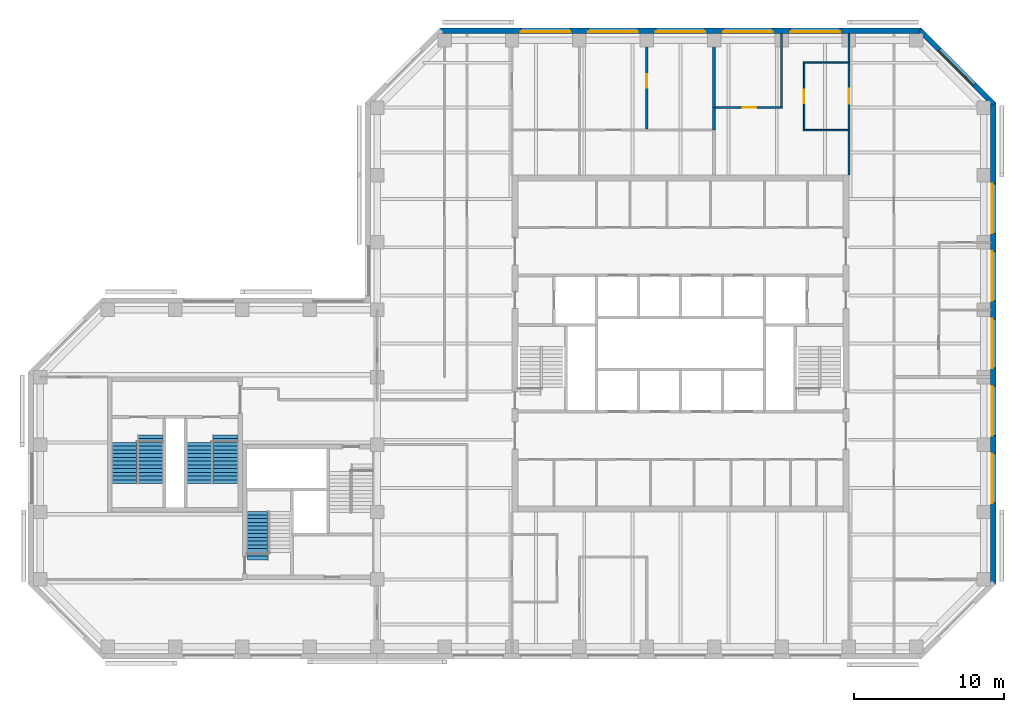
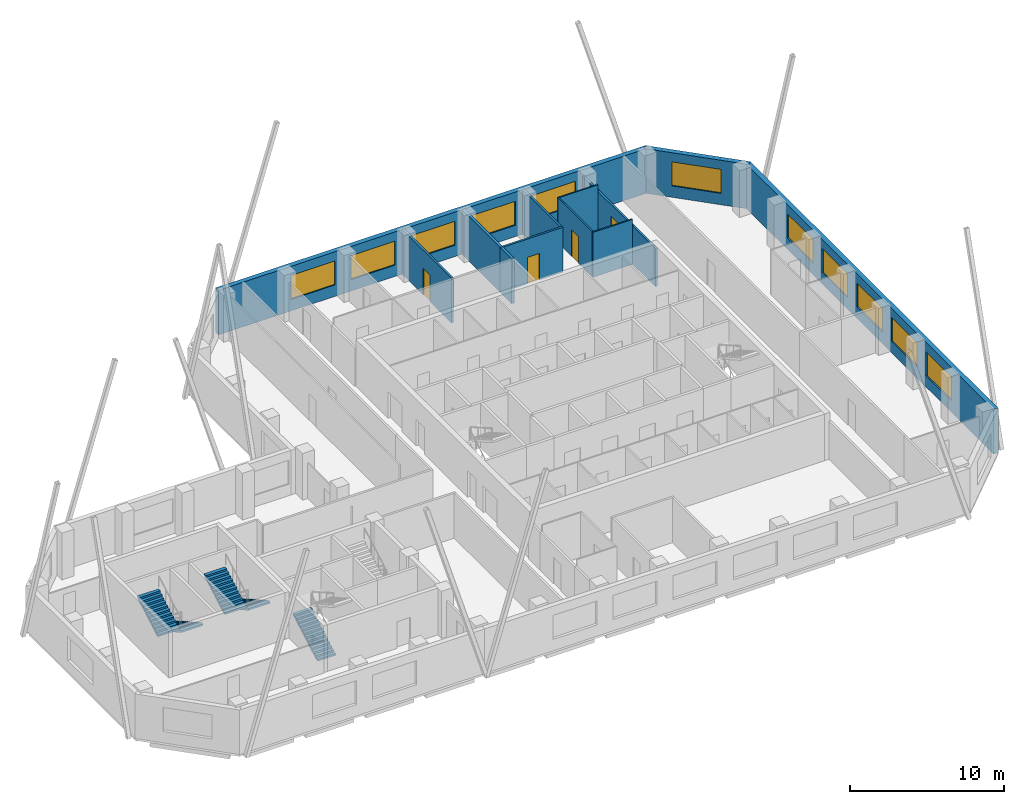
# One storey, part 7 of 9: 14 walls, 11 windows, 5 stair flights, 4 doors, 15 openings, 3 elements without a shape of their own.
"""IFC4 building model written with IfcOpenShell, lengths in metres."""

from ifc_helpers import new_model, si_unit, direction, frame, frame_2d, origin, place, context, subcontext, project, spatial, polyline, rectangle, outline, extrude, material, layer, layer_set, constituent, constituent_set, type_object, element, fill, aggregate, save


model = new_model("IFC4")

# Units and contexts
model_context = context("Model", 3, precision=1e-05, world=origin(), true_north=direction((0.0, 1.0)))
body_context = subcontext(model_context, "Body", "Model", "MODEL_VIEW")
ifc_project = project(units=[si_unit("LENGTHUNIT", "METRE"), si_unit("AREAUNIT", "SQUARE_METRE"), si_unit("VOLUMEUNIT", "CUBIC_METRE"), si_unit("PLANEANGLEUNIT", "RADIAN"), si_unit("MASSUNIT", "GRAM", prefix="KILO")], contexts=[model_context])

# Site, building, storey
site_placement = place(None, origin())
site = spatial("IfcSite", under=ifc_project, at=site_placement, CompositionType="ELEMENT")
building_placement = place(site_placement, origin())
building = spatial("IfcBuilding", under=site, at=building_placement, Name="Quoin Convention Tower", CompositionType="ELEMENT")
storey_placement = place(building_placement, frame((0.0, 0.0, 158.800048828125)))
storey = spatial("IfcBuildingStorey", under=building, at=storey_placement, Name="L41", CompositionType="ELEMENT", Elevation=158.800048828125)

# Wall, opening, door
ifc_material_1 = material(Name="Plasterboard")
ifc_layer_1 = layer(ifc_material_1, 0.012451171875, Name="Finish")
ifc_material_2 = material(Name="Steel stud framing", Category="steel")
ifc_layer_2 = layer(ifc_material_2, 0.125, Name="Structure")
ifc_layer_3 = layer(ifc_material_1, 0.012451171875, Name="Finish")
ifc_layer_set_1 = layer_set([ifc_layer_1, ifc_layer_2, ifc_layer_3], Name="Steel stud framing")
wall_type_1 = type_object("IfcWallType", Name="Acoustic partition 150", PredefinedType="PARTITIONING", material=ifc_layer_set_1)
wall_1_placement = place(storey_placement, frame((58.60009765625, 76.5, 0.0), z_axis=(0.0, 0.0, 1.0), x_axis=(1.0, 0.0, 0.0)))
wall_1 = element("IfcWall", 1, at=wall_1_placement, inside=storey, type_object=wall_type_1, Name="pw-L41-027", PredefinedType="PARTITIONING", context=body_context, shape_type="SweptSolid", body=[
    extrude(rectangle(XDim=4.474853515625, YDim=0.14990234375, at=frame_2d((2.2373046875, 0.0))), origin(), (0.0, 0.0, 1.0), 3.550048828125),
])
opening_1_placement = place(wall_1_placement, frame((1.800048828125, 0.0, 0.0)))
opening_1 = element("IfcOpeningElement", 2, at=opening_1_placement, cuts=wall_1, Name="Opening DOH2-05", PredefinedType="OPENING", context=body_context, shape_type="SweptSolid", body=[
    extrude(rectangle(XDim=0.89990234375, YDim=2.10009765625, at=frame_2d((0.449951171875, 1.050048828125))), frame((0.0, 0.0849609375, 0.0), z_axis=(0.0, -1.0, 0.0), x_axis=(1.0, 0.0, 0.0)), (0.0, 0.0, 1.0), 0.169921875),
])
ifc_material_3 = material(Name="Steel door leaf", Category="steel")
door_type_1 = type_object("IfcDoorType", Name="Office door 900 x 2100", OperationType="SINGLE_SWING_RIGHT", PredefinedType="DOOR", material=ifc_material_3)
door_1_placement = place(opening_1_placement, frame((0.89990234375, 0.0, 0.0), z_axis=(0.0, 0.0, 1.0), x_axis=(-1.0, 0.0, 0.0)))
door_1 = element("IfcDoor", 3, at=door_1_placement, inside=storey, type_object=door_type_1, Name="dr-L41-23", OperationType="SINGLE_SWING_LEFT", OverallHeight=2.10009765625, OverallWidth=0.89990234375, PredefinedType="DOOR", context=body_context, shape_type="SweptSolid", body=[
    extrude(rectangle(XDim=0.89990234375, YDim=2.10009765625, at=frame_2d((0.449951171875, 1.050048828125))), frame((0.0, 0.02490234375, 0.0), z_axis=(0.0, -1.0, 0.0), x_axis=(1.0, 0.0, 0.0)), (0.0, 0.0, 1.0), 0.050048828125),
])
fill(opening_1, door_1)

wall_2_placement = place(storey_placement, frame((54.0, 75.074951171875, 0.0), z_axis=(0.0, 0.0, 1.0), x_axis=(0.0, 1.0, 0.0)))
wall_2 = element("IfcWall", 4, at=wall_2_placement, inside=storey, type_object=wall_type_1, Name="pw-L41-069", PredefinedType="PARTITIONING", context=body_context, shape_type="SweptSolid", body=[
    extrude(rectangle(XDim=6.375, YDim=0.14990234375, at=frame_2d((3.1875, 0.0))), origin(), (0.0, 0.0, 1.0), 3.550048828125),
])
opening_2_placement = place(wall_2_placement, frame((2.75, 0.0, 0.0)))
opening_2 = element("IfcOpeningElement", 5, at=opening_2_placement, cuts=wall_2, Name="Opening DOH2-18", PredefinedType="OPENING", context=body_context, shape_type="SweptSolid", body=[
    extrude(rectangle(XDim=0.89990234375, YDim=2.10009765625, at=frame_2d((0.449951171875, 1.050048828125))), frame((0.0, 0.0849609375, 0.0), z_axis=(0.0, -1.0, 0.0), x_axis=(1.0, 0.0, 0.0)), (0.0, 0.0, 1.0), 0.169921875),
])
door_2_placement = place(opening_2_placement, origin())
door_2 = element("IfcDoor", 6, at=door_2_placement, inside=storey, type_object=door_type_1, Name="dr-L41-18", OperationType="SINGLE_SWING_RIGHT", OverallHeight=2.10009765625, OverallWidth=0.89990234375, PredefinedType="DOOR", context=body_context, shape_type="SweptSolid", body=[
    extrude(rectangle(XDim=0.89990234375, YDim=2.10009765625, at=frame_2d((0.449951171875, 1.050048828125))), frame((0.0, 0.02490234375, 0.0), z_axis=(0.0, -1.0, 0.0), x_axis=(1.0, 0.0, 0.0)), (0.0, 0.0, 1.0), 0.050048828125),
])
fill(opening_2, door_2)

# Wall
wall_3_placement = place(storey_placement, frame((63.0, 76.574951171875, 0.0), z_axis=(0.0, 0.0, 1.0), x_axis=(0.0, 1.0, 0.0)))
element("IfcWall", 7, at=wall_3_placement, inside=storey, type_object=wall_type_1, Name="pw-L41-071", PredefinedType="PARTITIONING", context=body_context, shape_type="SweptSolid", body=[
    extrude(rectangle(XDim=4.875, YDim=0.14990234375, at=frame_2d((2.4375, 0.0))), origin(), (0.0, 0.0, 1.0), 3.550048828125),
])

# Wall, openings, windows
ifc_material_4 = material(Name="Brick masonry", Category="masonry")
ifc_layer_4 = layer(ifc_material_4, 0.35009765625)
ifc_layer_set_2 = layer_set([ifc_layer_4], Name="Brick masonry")
wall_type_2 = type_object("IfcWallType", Name="Brick facade wall", PredefinedType="STANDARD", material=ifc_layer_set_2)
wall_4_placement = place(storey_placement, frame((77.125, 44.668701171875, 0.0), z_axis=(0.0, 0.0, 1.0), x_axis=(0.0, 1.0, 0.0)))
wall_4 = element("IfcWall", 8, at=wall_4_placement, inside=storey, type_object=wall_type_2, Name="fw-L41-76500_45000", PredefinedType="STANDARD", context=body_context, shape_type="SweptSolid", body=[
    extrude(rectangle(XDim=32.16259765625, YDim=0.35009765625, at=frame_2d((16.081298828125, 0.0))), origin(), (0.0, 0.0, 1.0), 3.52490234375),
])
opening_3_placement = place(wall_4_placement, frame((5.431396484375, 0.0, 0.89990234375)))
opening_3 = element("IfcOpeningElement", 9, at=opening_3_placement, cuts=wall_4, Name="Opening W-02", PredefinedType="OPENING", context=body_context, shape_type="SweptSolid", body=[
    extrude(rectangle(XDim=3.300048828125, YDim=1.89990234375, at=frame_2d((1.64990234375, 0.949951171875))), frame((0.0, 0.18505859375, 0.0), z_axis=(0.0, -1.0, 0.0), x_axis=(1.0, 0.0, 0.0)), (0.0, 0.0, 1.0), 0.3701171875),
])
opening_4_placement = place(wall_4_placement, frame((9.931396484375, 0.0, 0.89990234375)))
opening_4 = element("IfcOpeningElement", 10, at=opening_4_placement, cuts=wall_4, Name="Opening W-02", PredefinedType="OPENING", context=body_context, shape_type="SweptSolid", body=[
    extrude(rectangle(XDim=3.300048828125, YDim=1.89990234375, at=frame_2d((1.64990234375, 0.949951171875))), frame((0.0, 0.18505859375, 0.0), z_axis=(0.0, -1.0, 0.0), x_axis=(1.0, 0.0, 0.0)), (0.0, 0.0, 1.0), 0.3701171875),
])
opening_5_placement = place(wall_4_placement, frame((14.431396484375, 0.0, 0.89990234375)))
opening_5 = element("IfcOpeningElement", 11, at=opening_5_placement, cuts=wall_4, Name="Opening W-02", PredefinedType="OPENING", context=body_context, shape_type="SweptSolid", body=[
    extrude(rectangle(XDim=3.300048828125, YDim=1.89990234375, at=frame_2d((1.64990234375, 0.949951171875))), frame((0.0, 0.18505859375, 0.0), z_axis=(0.0, -1.0, 0.0), x_axis=(1.0, 0.0, 0.0)), (0.0, 0.0, 1.0), 0.3701171875),
])
opening_6_placement = place(wall_4_placement, frame((18.931396484375, 0.0, 0.89990234375)))
opening_6 = element("IfcOpeningElement", 12, at=opening_6_placement, cuts=wall_4, Name="Opening W-02", PredefinedType="OPENING", context=body_context, shape_type="SweptSolid", body=[
    extrude(rectangle(XDim=3.300048828125, YDim=1.89990234375, at=frame_2d((1.64990234375, 0.949951171875))), frame((0.0, 0.18505859375, 0.0), z_axis=(0.0, -1.0, 0.0), x_axis=(1.0, 0.0, 0.0)), (0.0, 0.0, 1.0), 0.3701171875),
])
opening_7_placement = place(wall_4_placement, frame((23.431396484375, 0.0, 0.89990234375)))
opening_7 = element("IfcOpeningElement", 13, at=opening_7_placement, cuts=wall_4, Name="Opening W-02", PredefinedType="OPENING", context=body_context, shape_type="SweptSolid", body=[
    extrude(rectangle(XDim=3.300048828125, YDim=1.89990234375, at=frame_2d((1.64990234375, 0.949951171875))), frame((0.0, 0.18505859375, 0.0), z_axis=(0.0, -1.0, 0.0), x_axis=(1.0, 0.0, 0.0)), (0.0, 0.0, 1.0), 0.3701171875),
])
ifc_material_5 = material(Name="Aluminium", Category="aluminium")
ifc_constituent_1 = constituent(ifc_material_5, Name="Frame")
ifc_material_6 = material(Name="Insulated glass", Category="glass")
ifc_constituent_2 = constituent(ifc_material_6, Name="Glazing")
ifc_constituent_set = constituent_set(constituents=[ifc_constituent_1, ifc_constituent_2], Name="Aluminium")
window_type = type_object("IfcWindowType", Name="Office window", PartitioningType="DOUBLE_PANEL_VERTICAL", PredefinedType="WINDOW", material=ifc_constituent_set)
window_1_placement = place(opening_3_placement, origin())
window_1 = element("IfcWindow", 14, at=window_1_placement, inside=storey, type_object=window_type, Name="win-L41-77125_51750", OverallHeight=1.89990234375, OverallWidth=3.300048828125, PartitioningType="SINGLE_PANEL", PredefinedType="WINDOW", context=body_context, shape_type="SweptSolid", body=[
    extrude(rectangle(XDim=3.300048828125, YDim=1.89990234375, at=frame_2d((1.64990234375, 0.949951171875))), frame((0.0, 0.0849609375, 0.0), z_axis=(0.0, -1.0, 0.0), x_axis=(1.0, 0.0, 0.0)), (0.0, 0.0, 1.0), 0.06005859375),
])
fill(opening_3, window_1)
window_2_placement = place(opening_4_placement, origin())
window_2 = element("IfcWindow", 15, at=window_2_placement, inside=storey, type_object=window_type, Name="win-L41-77125_56250", OverallHeight=1.89990234375, OverallWidth=3.300048828125, PartitioningType="SINGLE_PANEL", PredefinedType="WINDOW", context=body_context, shape_type="SweptSolid", body=[
    extrude(rectangle(XDim=3.300048828125, YDim=1.89990234375, at=frame_2d((1.64990234375, 0.949951171875))), frame((0.0, 0.0849609375, 0.0), z_axis=(0.0, -1.0, 0.0), x_axis=(1.0, 0.0, 0.0)), (0.0, 0.0, 1.0), 0.06005859375),
])
fill(opening_4, window_2)
window_3_placement = place(opening_5_placement, origin())
window_3 = element("IfcWindow", 16, at=window_3_placement, inside=storey, type_object=window_type, Name="win-L41-77125_60750", OverallHeight=1.89990234375, OverallWidth=3.300048828125, PartitioningType="SINGLE_PANEL", PredefinedType="WINDOW", context=body_context, shape_type="SweptSolid", body=[
    extrude(rectangle(XDim=3.300048828125, YDim=1.89990234375, at=frame_2d((1.64990234375, 0.949951171875))), frame((0.0, 0.0849609375, 0.0), z_axis=(0.0, -1.0, 0.0), x_axis=(1.0, 0.0, 0.0)), (0.0, 0.0, 1.0), 0.06005859375),
])
fill(opening_5, window_3)
window_4_placement = place(opening_6_placement, origin())
window_4 = element("IfcWindow", 17, at=window_4_placement, inside=storey, type_object=window_type, Name="win-L41-77125_65250", OverallHeight=1.89990234375, OverallWidth=3.300048828125, PartitioningType="SINGLE_PANEL", PredefinedType="WINDOW", context=body_context, shape_type="SweptSolid", body=[
    extrude(rectangle(XDim=3.300048828125, YDim=1.89990234375, at=frame_2d((1.64990234375, 0.949951171875))), frame((0.0, 0.0849609375, 0.0), z_axis=(0.0, -1.0, 0.0), x_axis=(1.0, 0.0, 0.0)), (0.0, 0.0, 1.0), 0.06005859375),
])
fill(opening_6, window_4)
window_5_placement = place(opening_7_placement, origin())
window_5 = element("IfcWindow", 18, at=window_5_placement, inside=storey, type_object=window_type, Name="win-L41-77125_69750", OverallHeight=1.89990234375, OverallWidth=3.300048828125, PartitioningType="SINGLE_PANEL", PredefinedType="WINDOW", context=body_context, shape_type="SweptSolid", body=[
    extrude(rectangle(XDim=3.300048828125, YDim=1.89990234375, at=frame_2d((1.64990234375, 0.949951171875))), frame((0.0, 0.0849609375, 0.0), z_axis=(0.0, -1.0, 0.0), x_axis=(1.0, 0.0, 0.0)), (0.0, 0.0, 1.0), 0.06005859375),
])
fill(opening_7, window_5)

# Wall, opening, window
wall_5_placement = place(storey_placement, frame((77.17626953125, 76.70751953125, 0.0), z_axis=(0.0, 0.0, 1.0), x_axis=(-0.707106781187, 0.707106781187, 0.0)))
wall_5 = element("IfcWall", 19, at=wall_5_placement, inside=storey, type_object=wall_type_2, Name="fw-L41-76500_76500", PredefinedType="STANDARD", context=body_context, shape_type="SweptSolid", body=[
    extrude(rectangle(XDim=7.02685546875, YDim=0.35009765625, at=frame_2d((3.513427734375, 0.0))), origin(), (0.0, 0.0, 1.0), 3.52490234375),
])
opening_8_placement = place(wall_5_placement, frame((1.86328125, 0.0, 0.89990234375)))
opening_8 = element("IfcOpeningElement", 20, at=opening_8_placement, cuts=wall_5, Name="Opening W-02", PredefinedType="OPENING", context=body_context, shape_type="SweptSolid", body=[
    extrude(rectangle(XDim=3.300048828125, YDim=1.89990234375, at=frame_2d((1.64990234375, 0.949951171875))), frame((0.0, 0.18505859375, 0.0), z_axis=(0.0, -1.0, 0.0), x_axis=(1.0, 0.0, 0.0)), (0.0, 0.0, 1.0), 0.3701171875),
])
window_6_placement = place(opening_8_placement, origin())
window_6 = element("IfcWindow", 21, at=window_6_placement, inside=storey, type_object=window_type, Name="win-L41-74692_79192", OverallHeight=1.89990234375, OverallWidth=3.300048828125, PartitioningType="SINGLE_PANEL", PredefinedType="WINDOW", context=body_context, shape_type="SweptSolid", body=[
    extrude(rectangle(XDim=3.300048828125, YDim=1.89990234375, at=frame_2d((1.64990234375, 0.949951171875))), frame((0.0, 0.0849609375, 0.0), z_axis=(0.0, -1.0, 0.0), x_axis=(1.0, 0.0, 0.0)), (0.0, 0.0, 1.0), 0.06005859375),
])
fill(opening_8, window_6)

# Wall, openings, windows
wall_6_placement = place(storey_placement, frame((72.331298828125, 81.625, 0.0), z_axis=(0.0, 0.0, 1.0), x_axis=(-1.0, 0.0, 0.0)))
wall_6 = element("IfcWall", 22, at=wall_6_placement, inside=storey, type_object=wall_type_2, Name="fw-L41-72000_81000", PredefinedType="STANDARD", context=body_context, shape_type="SweptSolid", body=[
    extrude(rectangle(XDim=32.16259765625, YDim=0.35009765625, at=frame_2d((16.081298828125, 0.0))), origin(), (0.0, 0.0, 1.0), 3.52490234375),
])
opening_9_placement = place(wall_6_placement, frame((5.431396484375, 0.0, 0.89990234375)))
opening_9 = element("IfcOpeningElement", 23, at=opening_9_placement, cuts=wall_6, Name="Opening W-02", PredefinedType="OPENING", context=body_context, shape_type="SweptSolid", body=[
    extrude(rectangle(XDim=3.300048828125, YDim=1.89990234375, at=frame_2d((1.64990234375, 0.949951171875))), frame((0.0, 0.18505859375, 0.0), z_axis=(0.0, -1.0, 0.0), x_axis=(1.0, 0.0, 0.0)), (0.0, 0.0, 1.0), 0.3701171875),
])
opening_10_placement = place(wall_6_placement, frame((9.931396484375, 0.0, 0.89990234375)))
opening_10 = element("IfcOpeningElement", 24, at=opening_10_placement, cuts=wall_6, Name="Opening W-02", PredefinedType="OPENING", context=body_context, shape_type="SweptSolid", body=[
    extrude(rectangle(XDim=3.300048828125, YDim=1.89990234375, at=frame_2d((1.64990234375, 0.949951171875))), frame((0.0, 0.18505859375, 0.0), z_axis=(0.0, -1.0, 0.0), x_axis=(1.0, 0.0, 0.0)), (0.0, 0.0, 1.0), 0.3701171875),
])
opening_11_placement = place(wall_6_placement, frame((14.431396484375, 0.0, 0.89990234375)))
opening_11 = element("IfcOpeningElement", 25, at=opening_11_placement, cuts=wall_6, Name="Opening W-02", PredefinedType="OPENING", context=body_context, shape_type="SweptSolid", body=[
    extrude(rectangle(XDim=3.300048828125, YDim=1.89990234375, at=frame_2d((1.64990234375, 0.949951171875))), frame((0.0, 0.18505859375, 0.0), z_axis=(0.0, -1.0, 0.0), x_axis=(1.0, 0.0, 0.0)), (0.0, 0.0, 1.0), 0.3701171875),
])
opening_12_placement = place(wall_6_placement, frame((18.931396484375, 0.0, 0.89990234375)))
opening_12 = element("IfcOpeningElement", 26, at=opening_12_placement, cuts=wall_6, Name="Opening W-02", PredefinedType="OPENING", context=body_context, shape_type="SweptSolid", body=[
    extrude(rectangle(XDim=3.300048828125, YDim=1.89990234375, at=frame_2d((1.64990234375, 0.949951171875))), frame((0.0, 0.18505859375, 0.0), z_axis=(0.0, -1.0, 0.0), x_axis=(1.0, 0.0, 0.0)), (0.0, 0.0, 1.0), 0.3701171875),
])
opening_13_placement = place(wall_6_placement, frame((23.431396484375, 0.0, 0.89990234375)))
opening_13 = element("IfcOpeningElement", 27, at=opening_13_placement, cuts=wall_6, Name="Opening W-02", PredefinedType="OPENING", context=body_context, shape_type="SweptSolid", body=[
    extrude(rectangle(XDim=3.300048828125, YDim=1.89990234375, at=frame_2d((1.64990234375, 0.949951171875))), frame((0.0, 0.18505859375, 0.0), z_axis=(0.0, -1.0, 0.0), x_axis=(1.0, 0.0, 0.0)), (0.0, 0.0, 1.0), 0.3701171875),
])
window_7_placement = place(opening_9_placement, origin())
window_7 = element("IfcWindow", 28, at=window_7_placement, inside=storey, type_object=window_type, Name="win-L41-65250_81625", OverallHeight=1.89990234375, OverallWidth=3.300048828125, PartitioningType="SINGLE_PANEL", PredefinedType="WINDOW", context=body_context, shape_type="SweptSolid", body=[
    extrude(rectangle(XDim=3.300048828125, YDim=1.89990234375, at=frame_2d((1.64990234375, 0.949951171875))), frame((0.0, 0.0849609375, 0.0), z_axis=(0.0, -1.0, 0.0), x_axis=(1.0, 0.0, 0.0)), (0.0, 0.0, 1.0), 0.06005859375),
])
fill(opening_9, window_7)
window_8_placement = place(opening_10_placement, origin())
window_8 = element("IfcWindow", 29, at=window_8_placement, inside=storey, type_object=window_type, Name="win-L41-60750_81625", OverallHeight=1.89990234375, OverallWidth=3.300048828125, PartitioningType="SINGLE_PANEL", PredefinedType="WINDOW", context=body_context, shape_type="SweptSolid", body=[
    extrude(rectangle(XDim=3.300048828125, YDim=1.89990234375, at=frame_2d((1.64990234375, 0.949951171875))), frame((0.0, 0.0849609375, 0.0), z_axis=(0.0, -1.0, 0.0), x_axis=(1.0, 0.0, 0.0)), (0.0, 0.0, 1.0), 0.06005859375),
])
fill(opening_10, window_8)
window_9_placement = place(opening_11_placement, origin())
window_9 = element("IfcWindow", 30, at=window_9_placement, inside=storey, type_object=window_type, Name="win-L41-56250_81625", OverallHeight=1.89990234375, OverallWidth=3.300048828125, PartitioningType="SINGLE_PANEL", PredefinedType="WINDOW", context=body_context, shape_type="SweptSolid", body=[
    extrude(rectangle(XDim=3.300048828125, YDim=1.89990234375, at=frame_2d((1.64990234375, 0.949951171875))), frame((0.0, 0.0849609375, 0.0), z_axis=(0.0, -1.0, 0.0), x_axis=(1.0, 0.0, 0.0)), (0.0, 0.0, 1.0), 0.06005859375),
])
fill(opening_11, window_9)
window_10_placement = place(opening_12_placement, origin())
window_10 = element("IfcWindow", 31, at=window_10_placement, inside=storey, type_object=window_type, Name="win-L41-51750_81625", OverallHeight=1.89990234375, OverallWidth=3.300048828125, PartitioningType="SINGLE_PANEL", PredefinedType="WINDOW", context=body_context, shape_type="SweptSolid", body=[
    extrude(rectangle(XDim=3.300048828125, YDim=1.89990234375, at=frame_2d((1.64990234375, 0.949951171875))), frame((0.0, 0.0849609375, 0.0), z_axis=(0.0, -1.0, 0.0), x_axis=(1.0, 0.0, 0.0)), (0.0, 0.0, 1.0), 0.06005859375),
])
fill(opening_12, window_10)
window_11_placement = place(opening_13_placement, origin())
window_11 = element("IfcWindow", 32, at=window_11_placement, inside=storey, type_object=window_type, Name="win-L41-47250_81625", OverallHeight=1.89990234375, OverallWidth=3.300048828125, PartitioningType="SINGLE_PANEL", PredefinedType="WINDOW", context=body_context, shape_type="SweptSolid", body=[
    extrude(rectangle(XDim=3.300048828125, YDim=1.89990234375, at=frame_2d((1.64990234375, 0.949951171875))), frame((0.0, 0.0849609375, 0.0), z_axis=(0.0, -1.0, 0.0), x_axis=(1.0, 0.0, 0.0)), (0.0, 0.0, 1.0), 0.06005859375),
])
fill(opening_13, window_11)

# Wall
ifc_layer_5 = layer(ifc_material_1, 0.012451171875, Name="Finish")
ifc_layer_6 = layer(ifc_material_2, 0.125, Name="Structure")
ifc_layer_7 = layer(ifc_material_1, 0.012451171875, Name="Finish")
ifc_layer_set_3 = layer_set([ifc_layer_5, ifc_layer_6, ifc_layer_7], Name="Steel stud framing")
wall_type_3 = type_object("IfcWallType", Name="Corridor wall 150 under beam 528", PredefinedType="PARTITIONING", material=ifc_layer_set_3)
wall_7_placement = place(storey_placement, frame((67.5, 72.0, 0.0), z_axis=(0.0, 0.0, 1.0), x_axis=(0.0, 1.0, 0.0)))
element("IfcWall", 33, at=wall_7_placement, inside=storey, type_object=wall_type_3, Name="pw-L41-063", PredefinedType="PARTITIONING", context=body_context, shape_type="SweptSolid", body=[
    extrude(rectangle(XDim=3.0, YDim=0.14990234375, at=frame_2d((1.5, 0.0))), origin(), (0.0, 0.0, 1.0), 3.02197265625),
])

# Wall, opening, door
wall_8_placement = place(storey_placement, frame((67.5, 75.0, 0.0), z_axis=(0.0, 0.0, 1.0), x_axis=(0.0, 1.0, 0.0)))
wall_8 = element("IfcWall", 34, at=wall_8_placement, inside=storey, type_object=wall_type_3, Name="pw-L41-067", PredefinedType="PARTITIONING", context=body_context, shape_type="SweptSolid", body=[
    extrude(rectangle(XDim=4.5, YDim=0.14990234375, at=frame_2d((2.25, 0.0))), origin(), (0.0, 0.0, 1.0), 3.02197265625),
])
opening_14_placement = place(wall_8_placement, frame((1.75, 0.0, 0.0)))
opening_14 = element("IfcOpeningElement", 35, at=opening_14_placement, cuts=wall_8, Name="Opening DOH2-16", PredefinedType="OPENING", context=body_context, shape_type="SweptSolid", body=[
    extrude(rectangle(XDim=1.0, YDim=2.10009765625, at=frame_2d((0.5, 1.050048828125))), frame((0.0, 0.0849609375, 0.0), z_axis=(0.0, -1.0, 0.0), x_axis=(1.0, 0.0, 0.0)), (0.0, 0.0, 1.0), 0.169921875),
])
door_type_2 = type_object("IfcDoorType", Name="Tenancy entrance door 1000 x 2100", OperationType="DOUBLE_DOOR_SINGLE_SWING", PredefinedType="DOOR", material=ifc_material_3)
door_3_placement = place(opening_14_placement, frame((1.0, 0.0, 0.0), z_axis=(0.0, 0.0, 1.0), x_axis=(-1.0, 0.0, 0.0)))
door_3 = element("IfcDoor", 36, at=door_3_placement, inside=storey, type_object=door_type_2, Name="dr-L41-21", OperationType="DOUBLE_DOOR_SINGLE_SWING", OverallHeight=2.10009765625, OverallWidth=1.0, PredefinedType="DOOR", context=body_context, shape_type="SweptSolid", body=[
    extrude(rectangle(XDim=1.0, YDim=2.10009765625, at=frame_2d((0.5, 1.050048828125))), frame((0.0, 0.02490234375, 0.0), z_axis=(0.0, -1.0, 0.0), x_axis=(1.0, 0.0, 0.0)), (0.0, 0.0, 1.0), 0.050048828125),
])
fill(opening_14, door_3)

# Walls
wall_9_placement = place(storey_placement, frame((67.5, 79.5, 0.0), z_axis=(0.0, 0.0, 1.0), x_axis=(0.0, 1.0, 0.0)))
element("IfcWall", 37, at=wall_9_placement, inside=storey, type_object=wall_type_3, Name="pw-L41-072", PredefinedType="PARTITIONING", context=body_context, shape_type="SweptSolid", body=[
    extrude(rectangle(XDim=1.949951171875, YDim=0.14990234375, at=frame_2d((0.97509765625, 0.0))), origin(), (0.0, 0.0, 1.0), 3.02197265625),
])
ifc_layer_8 = layer(ifc_material_1, 0.012451171875, Name="Finish")
ifc_layer_9 = layer(ifc_material_2, 0.074951171875, Name="Structure")
ifc_layer_10 = layer(ifc_material_1, 0.012451171875, Name="Finish")
ifc_layer_set_4 = layer_set([ifc_layer_8, ifc_layer_9, ifc_layer_10], Name="Steel stud framing")
wall_type_4 = type_object("IfcWallType", Name="Stud partition 100", PredefinedType="PARTITIONING", material=ifc_layer_set_4)
for number, where, z_axis, x_axis, name in (
    (38, (64.449951171875, 75.0, 0.0), (0.0, 0.0, 1.0), (1.0, 0.0, 0.0), "pw-L41-026"),
    (39, (64.449951171875, 79.5, 0.0), (0.0, 0.0, 1.0), (1.0, 0.0, 0.0), "pw-L41-028"),
):
    element("IfcWall", number, at=place(storey_placement, frame(where, z_axis=z_axis, x_axis=x_axis)), inside=storey, type_object=wall_type_4, Name=name, PredefinedType="PARTITIONING", context=body_context, shape_type="SweptSolid", body=[
        extrude(rectangle(XDim=2.97509765625, YDim=0.10009765625, at=frame_2d((1.487548828125, 0.0))), origin(), (0.0, 0.0, 1.0), 3.550048828125),
    ])

# Wall, opening, door
wall_10_placement = place(storey_placement, frame((64.5, 75.050048828125, 0.0), z_axis=(0.0, 0.0, 1.0), x_axis=(0.0, 1.0, 0.0)))
wall_10 = element("IfcWall", 40, at=wall_10_placement, inside=storey, type_object=wall_type_4, Name="pw-L41-068", PredefinedType="PARTITIONING", context=body_context, shape_type="SweptSolid", body=[
    extrude(rectangle(XDim=4.39990234375, YDim=0.10009765625, at=frame_2d((2.199951171875, 0.0))), origin(), (0.0, 0.0, 1.0), 3.550048828125),
])
opening_15_placement = place(wall_10_placement, frame((1.75, 0.0, 0.0)))
opening_15 = element("IfcOpeningElement", 41, at=opening_15_placement, cuts=wall_10, Name="Opening DOH2-17", PredefinedType="OPENING", context=body_context, shape_type="SweptSolid", body=[
    extrude(rectangle(XDim=0.89990234375, YDim=2.10009765625, at=frame_2d((0.449951171875, 1.050048828125))), frame((0.0, 0.06005859375, 0.0), z_axis=(0.0, -1.0, 0.0), x_axis=(1.0, 0.0, 0.0)), (0.0, 0.0, 1.0), 0.1201171875),
])
door_4_placement = place(opening_15_placement, origin())
door_4 = element("IfcDoor", 42, at=door_4_placement, inside=storey, type_object=door_type_1, Name="dr-L41-22", OperationType="SINGLE_SWING_RIGHT", OverallHeight=2.10009765625, OverallWidth=0.89990234375, PredefinedType="DOOR", context=body_context, shape_type="SweptSolid", body=[
    extrude(rectangle(XDim=0.89990234375, YDim=2.10009765625, at=frame_2d((0.449951171875, 1.050048828125))), frame((0.0, 0.02490234375, 0.0), z_axis=(0.0, -1.0, 0.0), x_axis=(1.0, 0.0, 0.0)), (0.0, 0.0, 1.0), 0.050048828125),
])
fill(opening_15, door_4)

# Walls
ifc_layer_11 = layer(ifc_material_1, 0.012451171875, Name="Finish")
ifc_layer_12 = layer(ifc_material_2, 0.175048828125, Name="Structure")
ifc_layer_13 = layer(ifc_material_1, 0.012451171875, Name="Finish")
ifc_layer_set_5 = layer_set([ifc_layer_11, ifc_layer_12, ifc_layer_13], Name="Steel stud framing")
wall_type_5 = type_object("IfcWallType", Name="Tenancy demising wall 200", PredefinedType="PARTITIONING", material=ifc_layer_set_5)
wall_11_placement = place(storey_placement, frame((58.5, 75.0, 0.0), z_axis=(0.0, 0.0, 1.0), x_axis=(0.0, 1.0, 0.0)))
element("IfcWall", 43, at=wall_11_placement, inside=storey, type_object=wall_type_5, Name="pw-L41-066", PredefinedType="PARTITIONING", context=body_context, shape_type="SweptSolid", body=[
    extrude(rectangle(XDim=1.5, YDim=0.199951171875, at=frame_2d((0.75, 0.0))), origin(), (0.0, 0.0, 1.0), 3.550048828125),
])
wall_12_placement = place(storey_placement, frame((58.5, 76.5, 0.0), z_axis=(0.0, 0.0, 1.0), x_axis=(0.0, 1.0, 0.0)))
element("IfcWall", 44, at=wall_12_placement, inside=storey, type_object=wall_type_5, Name="pw-L41-070", PredefinedType="PARTITIONING", context=body_context, shape_type="SweptSolid", body=[
    extrude(rectangle(XDim=4.949951171875, YDim=0.199951171875, at=frame_2d((2.47509765625, 0.0))), origin(), (0.0, 0.0, 1.0), 3.550048828125),
])

# Stair, stair flight
ifc_material_7 = material(Name="Concrete C40", Category="concrete")
stair_type_1 = type_object("IfcStairType", Name="Exit stair two-flight 1350", PredefinedType="HALF_TURN_STAIR", material=ifc_material_7)
stair_1_placement = place(storey_placement, origin())
stair_1 = element("IfcStair", 45, at=stair_1_placement, inside=storey, type_object=stair_type_1, Name="SD3 L41", PredefinedType="HALF_TURN_STAIR")
stair_flight_type_1 = type_object("IfcStairFlightType", Name="Stair flight 1350", PredefinedType="STRAIGHT", material=ifc_material_7)
stair_flight_1_placement = place(storey_placement, frame((28.0, 46.300048828125, 0.0), z_axis=(0.0, 0.0, 1.0), x_axis=(0.0, 1.0, 0.0)))
stair_flight_1 = element("IfcStairFlight", 46, at=stair_flight_1_placement, type_object=stair_flight_type_1, Name="ST3 flight 1", NumberOfRisers=14, NumberOfTreads=13, PredefinedType="STRAIGHT", RiserHeight=0.142307692, TreadLength=0.25, context=body_context, shape_type="SweptSolid", body=[
    extrude(outline(polyline([(0.0, 0.0), (0.0, 0.142333984375), (0.25, 0.142333984375), (0.25, 0.28466796875), (0.5, 0.28466796875), (0.5, 0.427001953125), (0.75, 0.427001953125), (0.75, 0.5693359375), (1.0, 0.5693359375), (1.0, 0.71142578125), (1.25, 0.71142578125), (1.25, 0.853759765625), (1.5, 0.853759765625), (1.5, 0.99609375), (1.75, 0.99609375), (1.75, 1.138427734375), (2.0, 1.138427734375), (2.0, 1.28076171875), (2.25, 1.28076171875), (2.25, 1.423095703125), (2.5, 1.423095703125), (2.5, 1.5654296875), (2.75, 1.5654296875), (2.75, 1.707763671875), (3.0, 1.707763671875), (3.0, 1.85009765625), (3.25, 1.85009765625), (3.25, 1.9921875), (3.25, 1.711669921875), (0.242919921875, 0.0), (0.0, 0.0)])), frame((0.0, 0.675048828125, 0.0), z_axis=(0.0, -1.0, 0.0), x_axis=(1.0, 0.0, 0.0)), (0.0, 0.0, 1.0), 1.35009765625),
])
aggregate(stair_1, [stair_flight_1])

# Stair, stair flights
stair_type_2 = type_object("IfcStairType", Name="Exit stair two-flight 1600", PredefinedType="HALF_TURN_STAIR", material=ifc_material_7)
stair_2_placement = place(storey_placement, origin())
stair_2 = element("IfcStair", 47, at=stair_2_placement, inside=storey, type_object=stair_type_2, Name="SD11 L41", PredefinedType="HALF_TURN_STAIR")
stair_flight_type_2 = type_object("IfcStairFlightType", Name="Stair flight 1600", PredefinedType="STRAIGHT", material=ifc_material_7)
stair_flight_2_placement = place(storey_placement, frame((20.875, 54.64990234375, 0.0), z_axis=(0.0, 0.0, 1.0), x_axis=(0.0, -1.0, 0.0)))
stair_flight_2 = element("IfcStairFlight", 48, at=stair_flight_2_placement, type_object=stair_flight_type_2, Name="ST11 flight 1", NumberOfRisers=14, NumberOfTreads=13, PredefinedType="STRAIGHT", RiserHeight=0.142307692, TreadLength=0.25, context=body_context, shape_type="SweptSolid", body=[
    extrude(outline(polyline([(0.0, 0.0), (0.0, 0.142333984375), (0.25, 0.142333984375), (0.25, 0.28466796875), (0.5, 0.28466796875), (0.5, 0.427001953125), (0.75, 0.427001953125), (0.75, 0.5693359375), (1.0, 0.5693359375), (1.0, 0.71142578125), (1.25, 0.71142578125), (1.25, 0.853759765625), (1.5, 0.853759765625), (1.5, 0.99609375), (1.75, 0.99609375), (1.75, 1.138427734375), (2.0, 1.138427734375), (2.0, 1.28076171875), (2.25, 1.28076171875), (2.25, 1.423095703125), (2.5, 1.423095703125), (2.5, 1.5654296875), (2.75, 1.5654296875), (2.75, 1.707763671875), (3.0, 1.707763671875), (3.0, 1.85009765625), (3.25, 1.85009765625), (3.25, 1.9921875), (3.25, 1.711669921875), (0.242919921875, 0.0), (0.0, 0.0)])), frame((0.0, 0.800048828125, 0.0), z_axis=(0.0, -1.0, 0.0), x_axis=(1.0, 0.0, 0.0)), (0.0, 0.0, 1.0), 1.60009765625),
])
stair_flight_3_placement = place(storey_placement, frame((19.125, 51.39990234375, 1.9921875), z_axis=(0.0, 0.0, 1.0), x_axis=(0.0, 1.0, 0.0)))
stair_flight_3 = element("IfcStairFlight", 49, at=stair_flight_3_placement, type_object=stair_flight_type_2, Name="ST11 flight 2", NumberOfRisers=12, NumberOfTreads=11, PredefinedType="STRAIGHT", RiserHeight=0.142307692, TreadLength=0.25, context=body_context, shape_type="SweptSolid", body=[
    extrude(outline(polyline([(0.0, 0.0), (0.0, 0.142333984375), (0.25, 0.142333984375), (0.25, 0.28466796875), (0.5, 0.28466796875), (0.5, 0.427001953125), (0.75, 0.427001953125), (0.75, 0.5693359375), (1.0, 0.5693359375), (1.0, 0.71142578125), (1.25, 0.71142578125), (1.25, 0.853759765625), (1.5, 0.853759765625), (1.5, 0.99609375), (1.75, 0.99609375), (1.75, 1.138427734375), (2.0, 1.138427734375), (2.0, 1.28076171875), (2.25, 1.28076171875), (2.25, 1.423095703125), (2.5, 1.423095703125), (2.5, 1.5654296875), (2.75, 1.5654296875), (2.75, 1.707763671875), (2.75, 1.42724609375), (0.242919921875, 0.0), (0.0, 0.0)])), frame((0.0, 0.800048828125, 0.0), z_axis=(0.0, -1.0, 0.0), x_axis=(1.0, 0.0, 0.0)), (0.0, 0.0, 1.0), 1.60009765625),
])
aggregate(stair_2, [stair_flight_2, stair_flight_3])

stair_3_placement = place(storey_placement, origin())
stair_3 = element("IfcStair", 50, at=stair_3_placement, inside=storey, type_object=stair_type_2, Name="SD12 L41", PredefinedType="HALF_TURN_STAIR")
stair_flight_4_placement = place(storey_placement, frame((25.875, 54.64990234375, 0.0), z_axis=(0.0, 0.0, 1.0), x_axis=(0.0, -1.0, 0.0)))
stair_flight_4 = element("IfcStairFlight", 51, at=stair_flight_4_placement, type_object=stair_flight_type_2, Name="ST12 flight 1", NumberOfRisers=14, NumberOfTreads=13, PredefinedType="STRAIGHT", RiserHeight=0.142307692, TreadLength=0.25, context=body_context, shape_type="SweptSolid", body=[
    extrude(outline(polyline([(0.0, 0.0), (0.0, 0.142333984375), (0.25, 0.142333984375), (0.25, 0.28466796875), (0.5, 0.28466796875), (0.5, 0.427001953125), (0.75, 0.427001953125), (0.75, 0.5693359375), (1.0, 0.5693359375), (1.0, 0.71142578125), (1.25, 0.71142578125), (1.25, 0.853759765625), (1.5, 0.853759765625), (1.5, 0.99609375), (1.75, 0.99609375), (1.75, 1.138427734375), (2.0, 1.138427734375), (2.0, 1.28076171875), (2.25, 1.28076171875), (2.25, 1.423095703125), (2.5, 1.423095703125), (2.5, 1.5654296875), (2.75, 1.5654296875), (2.75, 1.707763671875), (3.0, 1.707763671875), (3.0, 1.85009765625), (3.25, 1.85009765625), (3.25, 1.9921875), (3.25, 1.711669921875), (0.242919921875, 0.0), (0.0, 0.0)])), frame((0.0, 0.800048828125, 0.0), z_axis=(0.0, -1.0, 0.0), x_axis=(1.0, 0.0, 0.0)), (0.0, 0.0, 1.0), 1.60009765625),
])
stair_flight_5_placement = place(storey_placement, frame((24.125, 51.39990234375, 1.9921875), z_axis=(0.0, 0.0, 1.0), x_axis=(0.0, 1.0, 0.0)))
stair_flight_5 = element("IfcStairFlight", 52, at=stair_flight_5_placement, type_object=stair_flight_type_2, Name="ST12 flight 2", NumberOfRisers=12, NumberOfTreads=11, PredefinedType="STRAIGHT", RiserHeight=0.142307692, TreadLength=0.25, context=body_context, shape_type="SweptSolid", body=[
    extrude(outline(polyline([(0.0, 0.0), (0.0, 0.142333984375), (0.25, 0.142333984375), (0.25, 0.28466796875), (0.5, 0.28466796875), (0.5, 0.427001953125), (0.75, 0.427001953125), (0.75, 0.5693359375), (1.0, 0.5693359375), (1.0, 0.71142578125), (1.25, 0.71142578125), (1.25, 0.853759765625), (1.5, 0.853759765625), (1.5, 0.99609375), (1.75, 0.99609375), (1.75, 1.138427734375), (2.0, 1.138427734375), (2.0, 1.28076171875), (2.25, 1.28076171875), (2.25, 1.423095703125), (2.5, 1.423095703125), (2.5, 1.5654296875), (2.75, 1.5654296875), (2.75, 1.707763671875), (2.75, 1.42724609375), (0.242919921875, 0.0), (0.0, 0.0)])), frame((0.0, 0.800048828125, 0.0), z_axis=(0.0, -1.0, 0.0), x_axis=(1.0, 0.0, 0.0)), (0.0, 0.0, 1.0), 1.60009765625),
])
aggregate(stair_3, [stair_flight_4, stair_flight_5])

save(model, "model.ifc")
